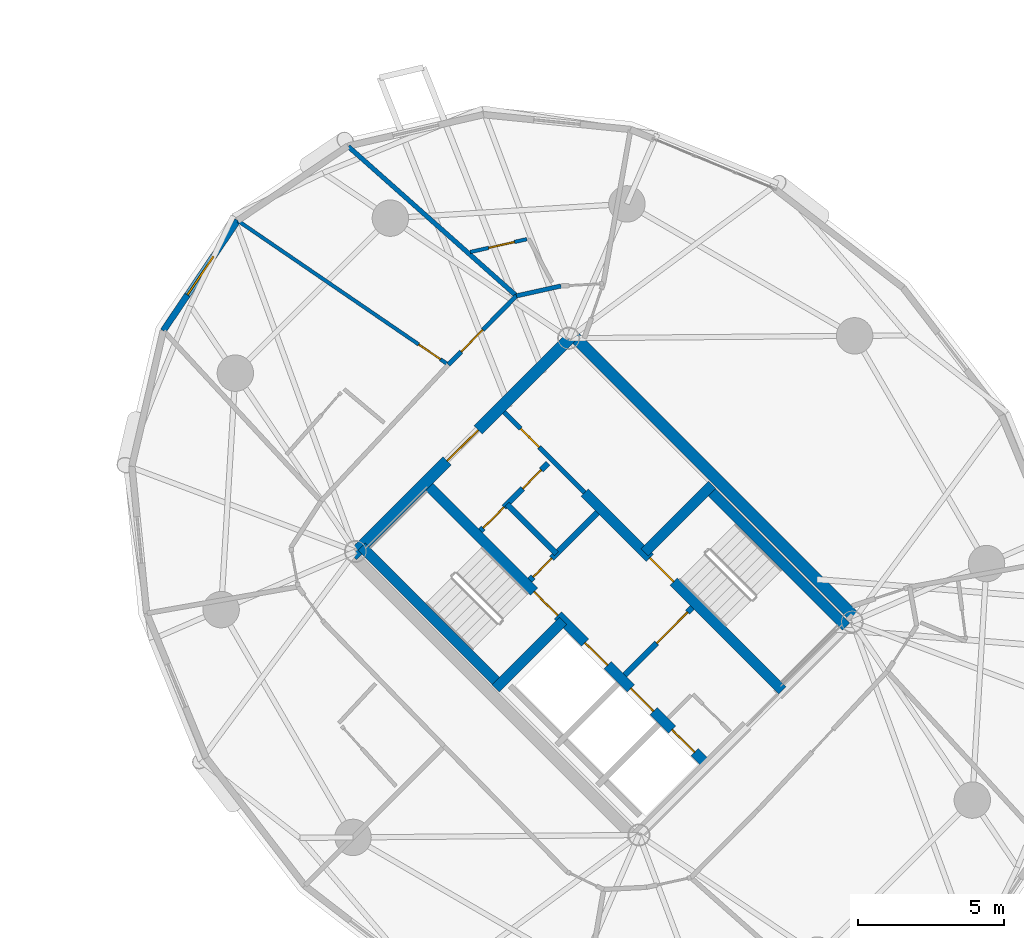
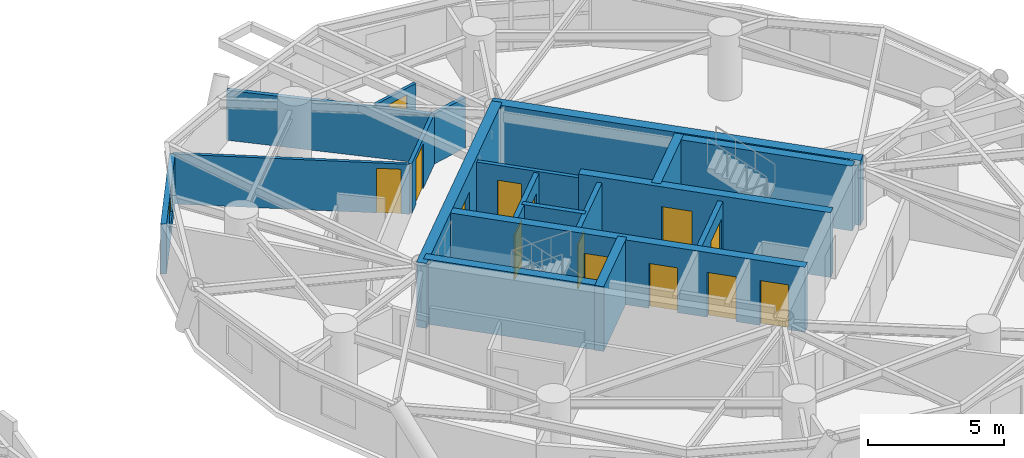
# One storey, part 14 of 18: 19 walls, 14 doors, 1 window, 15 openings.
"""IFC4 building model written with IfcOpenShell, lengths in metres."""

from ifc_helpers import new_model, si_unit, direction, frame, frame_2d, origin, place, context, subcontext, project, spatial, rectangle, extrude, source, transform, mapped, material, layer, layer_set, type_object, element, fill, save


model = new_model("IFC4")

# Units and contexts
model_context = context("Model", 3, precision=1e-05, world=origin(), true_north=direction((0.0, 1.0)))
body_context = subcontext(model_context, "Body", "Model", "MODEL_VIEW")
ifc_project = project(units=[si_unit("LENGTHUNIT", "METRE"), si_unit("AREAUNIT", "SQUARE_METRE"), si_unit("VOLUMEUNIT", "CUBIC_METRE"), si_unit("PLANEANGLEUNIT", "RADIAN"), si_unit("MASSUNIT", "GRAM", prefix="KILO")], contexts=[model_context])

# Site, building, storey
site_placement = place(None, origin())
site = spatial("IfcSite", under=ifc_project, at=site_placement, CompositionType="ELEMENT")
building_placement = place(site_placement, origin())
building = spatial("IfcBuilding", under=site, at=building_placement, Name="Cununo Teusaquillo Station Towers", CompositionType="ELEMENT")
storey_placement = place(building_placement, frame((0.0, 0.0, 157.419921875)))
storey = spatial("IfcBuildingStorey", under=building, at=storey_placement, Name="L49", CompositionType="ELEMENT", Elevation=157.419921875)

# Wall, openings, doors
ifc_material_1 = material(Name="Concrete C50/60", Category="concrete")
ifc_layer_1 = layer(ifc_material_1, 0.35009765625)
ifc_layer_set_1 = layer_set([ifc_layer_1], Name="Concrete C50/60")
wall_type_1 = type_object("IfcWallType", Name="WL-CORE-350", PredefinedType="SHEAR", material=ifc_layer_set_1)
wall_1_placement = place(storey_placement, frame((61.060302734375, 18.372802734375, 0.0), z_axis=(0.0, 0.0, 1.0), x_axis=(-0.707106781187, 0.707106781187, 0.0)))
wall_1 = element("IfcWall", 1, at=wall_1_placement, inside=storey, type_object=wall_type_1, Name="L49 Tower B Core Shear Wall IW", PredefinedType="SHEAR", context=body_context, shape_type="SweptSolid", body=[
    extrude(rectangle(XDim=13.7001953125, YDim=0.35009765625, at=frame_2d((6.85009765625, 0.0))), origin(), (0.0, 0.0, 1.0), 2.91015625),
])
shared_shape_1 = source(origin(), body_context, "Body", "SweptSolid", [
    extrude(rectangle(XDim=1.10009765625, YDim=2.014892578125, at=frame_2d((0.550048828125, 1.00732421875))), frame((0.0, 0.18505859375, 0.0), z_axis=(0.0, -1.0, 0.0), x_axis=(1.0, 0.0, 0.0)), (0.0, 0.0, 1.0), 0.3701171875),
])
opening_1_placement = place(wall_1_placement, frame((4.85009765625, 0.0, 0.0)))
opening_1 = element("IfcOpeningElement", 2, at=opening_1_placement, cuts=wall_1, Name="Opening LD-01", PredefinedType="OPENING", context=body_context, shape_type="MappedRepresentation", body=[
    mapped(shared_shape_1, transform((0.0, 0.0, 0.0), x_axis=(1.0, 0.0, 0.0), y_axis=(0.0, 1.0, 0.0), z_axis=(0.0, 0.0, 1.0), scale=1.0)),
])
opening_2_placement = place(wall_1_placement, frame((0.625, 0.0, 0.0)))
opening_2 = element("IfcOpeningElement", 3, at=opening_2_placement, cuts=wall_1, Name="Opening LD-01", PredefinedType="OPENING", context=body_context, shape_type="MappedRepresentation", body=[
    mapped(shared_shape_1, transform((0.0, 0.0, 0.0), x_axis=(1.0, 0.0, 0.0), y_axis=(0.0, 1.0, 0.0), z_axis=(0.0, 0.0, 1.0), scale=1.0)),
])
opening_3_placement = place(wall_1_placement, frame((2.625, 0.0, 0.0)))
opening_3 = element("IfcOpeningElement", 4, at=opening_3_placement, cuts=wall_1, Name="Opening LD-01", PredefinedType="OPENING", context=body_context, shape_type="MappedRepresentation", body=[
    mapped(shared_shape_1, transform((0.0, 0.0, 0.0), x_axis=(1.0, 0.0, 0.0), y_axis=(0.0, 1.0, 0.0), z_axis=(0.0, 0.0, 1.0), scale=1.0)),
])
shared_shape_2 = source(origin(), body_context, "Body", "SweptSolid", [
    extrude(rectangle(XDim=1.14990234375, YDim=2.02001953125, at=frame_2d((0.574951171875, 1.010009765625))), frame((0.0, 0.18505859375, 0.0), z_axis=(0.0, -1.0, 0.0), x_axis=(1.0, 0.0, 0.0)), (0.0, 0.0, 1.0), 0.3701171875),
])
opening_4_placement = place(wall_1_placement, frame((7.27001953125, 0.0, 0.0)))
opening_4 = element("IfcOpeningElement", 5, at=opening_4_placement, cuts=wall_1, Name="Opening D-ST1", PredefinedType="OPENING", context=body_context, shape_type="MappedRepresentation", body=[
    mapped(shared_shape_2, transform((0.0, 0.0, 0.0), x_axis=(1.0, 0.0, 0.0), y_axis=(0.0, 1.0, 0.0), z_axis=(0.0, 0.0, 1.0), scale=1.0)),
])
ifc_material_2 = material(Name="Galvanised fire-rated hollow steel door assembly", Category="steel")
door_type_1 = type_object("IfcDoorType", Name="DR-LIFT-1100", OperationType="SLIDING_TO_LEFT", PredefinedType="DOOR", material=ifc_material_2)
shared_shape_3 = source(origin(), body_context, "Body", "SweptSolid", [
    extrude(rectangle(XDim=1.10009765625, YDim=2.014892578125, at=frame_2d((0.550048828125, 1.00732421875))), frame((0.0, 0.02490234375, 0.0), z_axis=(0.0, -1.0, 0.0), x_axis=(1.0, 0.0, 0.0)), (0.0, 0.0, 1.0), 0.050048828125),
])
door_1_placement = place(opening_1_placement, origin())
door_1 = element("IfcDoor", 6, at=door_1_placement, inside=storey, type_object=door_type_1, Name="L49 Lift FL-T2 Sliding Landing Door", OperationType="SLIDING_TO_LEFT", OverallHeight=2.014892578125, OverallWidth=1.10009765625, PredefinedType="DOOR", context=body_context, shape_type="MappedRepresentation", body=[
    mapped(shared_shape_3, transform((0.0, 0.0, 0.0), x_axis=(1.0, 0.0, 0.0), y_axis=(0.0, 1.0, 0.0), z_axis=(0.0, 0.0, 1.0), scale=1.0)),
])
fill(opening_1, door_1)
door_2_placement = place(opening_2_placement, origin())
door_2 = element("IfcDoor", 7, at=door_2_placement, inside=storey, type_object=door_type_1, Name="L49 Lift PL-T2-H1 Sliding Landing Door", OperationType="SLIDING_TO_RIGHT", OverallHeight=2.014892578125, OverallWidth=1.10009765625, PredefinedType="DOOR", context=body_context, shape_type="MappedRepresentation", body=[
    mapped(shared_shape_3, transform((0.0, 0.0, 0.0), x_axis=(1.0, 0.0, 0.0), y_axis=(0.0, 1.0, 0.0), z_axis=(0.0, 0.0, 1.0), scale=1.0)),
])
fill(opening_2, door_2)
door_3_placement = place(opening_3_placement, origin())
door_3 = element("IfcDoor", 8, at=door_3_placement, inside=storey, type_object=door_type_1, Name="L49 Lift PL-T2-H2 Sliding Landing Door", OperationType="SLIDING_TO_LEFT", OverallHeight=2.014892578125, OverallWidth=1.10009765625, PredefinedType="DOOR", context=body_context, shape_type="MappedRepresentation", body=[
    mapped(shared_shape_3, transform((0.0, 0.0, 0.0), x_axis=(1.0, 0.0, 0.0), y_axis=(0.0, 1.0, 0.0), z_axis=(0.0, 0.0, 1.0), scale=1.0)),
])
fill(opening_3, door_3)
ifc_material_3 = material(Name="Galvanised fire-rated hollow steel door assembly", Category="steel")
door_type_2 = type_object("IfcDoorType", Name="DR-STAIR-1150", OperationType="NOTDEFINED", PredefinedType="DOOR", material=ifc_material_3)
shared_shape_4 = source(origin(), body_context, "Body", "SweptSolid", [
    extrude(rectangle(XDim=1.14990234375, YDim=2.02001953125, at=frame_2d((0.574951171875, 1.010009765625))), frame((0.0, 0.02490234375, 0.0), z_axis=(0.0, -1.0, 0.0), x_axis=(1.0, 0.0, 0.0)), (0.0, 0.0, 1.0), 0.050048828125),
])
door_4_placement = place(opening_4_placement, origin())
door_4 = element("IfcDoor", 9, at=door_4_placement, inside=storey, type_object=door_type_2, Name="L49 Tower B Exit Stair 1 Fire Door", OperationType="SINGLE_SWING_RIGHT", OverallHeight=2.02001953125, OverallWidth=1.14990234375, PredefinedType="DOOR", context=body_context, shape_type="MappedRepresentation", body=[
    mapped(shared_shape_4, transform((0.0, 0.0, 0.0), x_axis=(1.0, 0.0, 0.0), y_axis=(0.0, 1.0, 0.0), z_axis=(0.0, 0.0, 1.0), scale=1.0)),
])
fill(opening_4, door_4)

# Wall, opening, door
wall_2_placement = place(storey_placement, frame((63.627197265625, 20.939697265625, 0.0), z_axis=(0.0, 0.0, 1.0), x_axis=(-0.707119496762, 0.707094065383, 0.0)))
wall_2 = element("IfcWall", 10, at=wall_2_placement, inside=storey, type_object=wall_type_1, Name="L49 Tower B Core Shear Wall IE", PredefinedType="SHEAR", context=body_context, shape_type="SweptSolid", body=[
    extrude(rectangle(XDim=9.60009765625, YDim=0.35009765625, at=frame_2d((4.800048828125, 0.0))), origin(), (0.0, 0.0, 1.0), 2.91015625),
])
opening_5_placement = place(wall_2_placement, frame((5.280029296875, 0.0, 0.0)))
opening_5 = element("IfcOpeningElement", 11, at=opening_5_placement, cuts=wall_2, Name="Opening D-ST1", PredefinedType="OPENING", context=body_context, shape_type="MappedRepresentation", body=[
    mapped(shared_shape_2, transform((0.0, 0.0, 0.0), x_axis=(1.0, 0.0, 0.0), y_axis=(0.0, 1.0, 0.0), z_axis=(0.0, 0.0, 1.0), scale=1.0)),
])
door_5_placement = place(opening_5_placement, origin())
door_5 = element("IfcDoor", 12, at=door_5_placement, inside=storey, type_object=door_type_2, Name="L49 Tower B Exit Stair 2 Fire Door", OperationType="SINGLE_SWING_LEFT", OverallHeight=2.02001953125, OverallWidth=1.14990234375, PredefinedType="DOOR", context=body_context, shape_type="MappedRepresentation", body=[
    mapped(shared_shape_4, transform((0.0, 0.0, 0.0), x_axis=(1.0, 0.0, 0.0), y_axis=(0.0, 1.0, 0.0), z_axis=(0.0, 0.0, 1.0), scale=1.0)),
])
fill(opening_5, door_5)

# Walls
wall_3_placement = place(storey_placement, frame((53.922119140625, 21.14111328125, 0.0), z_axis=(0.0, 0.0, 1.0), x_axis=(-0.707106781187, 0.707106781187, 0.0)))
element("IfcWall", 13, at=wall_3_placement, inside=storey, type_object=wall_type_1, Name="L49 Tower B Core Shear Wall ST1W", PredefinedType="SHEAR", context=body_context, shape_type="SweptSolid", body=[
    extrude(rectangle(XDim=6.695068359375, YDim=0.35009765625, at=frame_2d((3.34765625, 0.0))), origin(), (0.0, 0.0, 1.0), 2.91015625),
])
wall_4_placement = place(storey_placement, frame((53.7841796875, 21.00341796875, 0.0), z_axis=(0.0, 0.0, 1.0), x_axis=(0.707106781187, 0.707106781187, 0.0)))
element("IfcWall", 14, at=wall_4_placement, inside=storey, type_object=wall_type_1, Name="L49 Tower B Core Shear Wall ST1S", PredefinedType="SHEAR", context=body_context, shape_type="SweptSolid", body=[
    extrude(rectangle(XDim=3.284912109375, YDim=0.35009765625, at=frame_2d((1.642578125, 0.0))), origin(), (0.0, 0.0, 1.0), 2.91015625),
])
wall_5_placement = place(storey_placement, frame((65.81201171875, 23.124755859375, 0.0), z_axis=(0.0, 0.0, 1.0), x_axis=(-0.707106781187, 0.707106781187, 0.0)))
element("IfcWall", 15, at=wall_5_placement, inside=storey, type_object=wall_type_1, Name="L49 Tower B Core Shear Wall ST2E", PredefinedType="SHEAR", context=body_context, shape_type="SweptSolid", body=[
    extrude(rectangle(XDim=6.695068359375, YDim=0.35009765625, at=frame_2d((3.34765625, 0.0))), origin(), (0.0, 0.0, 1.0), 2.91015625),
])
wall_6_placement = place(storey_placement, frame((58.89306640625, 25.673828125, 0.0), z_axis=(0.0, 0.0, 1.0), x_axis=(0.707106781187, 0.707106781187, 0.0)))
element("IfcWall", 16, at=wall_6_placement, inside=storey, type_object=wall_type_1, Name="L49 Tower B Core Shear Wall ST2N", PredefinedType="SHEAR", context=body_context, shape_type="SweptSolid", body=[
    extrude(rectangle(XDim=3.284912109375, YDim=0.35009765625, at=frame_2d((1.642578125, 0.0))), origin(), (0.0, 0.0, 1.0), 2.91015625),
])
ifc_material_4 = material(Name="Concrete C50/60", Category="concrete")
ifc_layer_2 = layer(ifc_material_4, 0.39990234375)
ifc_layer_set_2 = layer_set([ifc_layer_2], Name="Concrete C50/60")
wall_type_2 = type_object("IfcWallType", Name="WL-CORE-400", PredefinedType="SHEAR", material=ifc_layer_set_2)
wall_7_placement = place(storey_placement, frame((66.26806640625, 23.2978515625, 0.0), z_axis=(0.0, 0.0, 1.0), x_axis=(-0.707106781187, 0.707106781187, 0.0)))
element("IfcWall", 17, at=wall_7_placement, inside=storey, type_object=wall_type_2, Name="L49 Tower B Core Shear Wall E", PredefinedType="SHEAR", context=body_context, shape_type="SweptSolid", body=[
    extrude(rectangle(XDim=14.10009765625, YDim=0.39990234375, at=frame_2d((7.050048828125, 0.0))), origin(), (0.0, 0.0, 1.0), 2.91015625),
])

# Wall, opening, door
wall_8_placement = place(storey_placement, frame((48.873291015625, 25.560791015625, 0.0), z_axis=(0.0, 0.0, 1.0), x_axis=(0.707106781187, 0.707106781187, 0.0)))
wall_8 = element("IfcWall", 18, at=wall_8_placement, inside=storey, type_object=wall_type_2, Name="L49 Tower B Core Shear Wall N", PredefinedType="SHEAR", context=body_context, shape_type="SweptSolid", body=[
    extrude(rectangle(XDim=10.69970703125, YDim=0.39990234375, at=frame_2d((5.349853515625, 0.0))), origin(), (0.0, 0.0, 1.0), 2.91015625),
])
shared_shape_5 = source(origin(), body_context, "Body", "SweptSolid", [
    extrude(rectangle(XDim=1.5, YDim=2.02001953125, at=frame_2d((0.75, 1.010009765625))), frame((0.0, 0.2099609375, 0.0), z_axis=(0.0, -1.0, 0.0), x_axis=(1.0, 0.0, 0.0)), (0.0, 0.0, 1.0), 0.419921875),
])
opening_6_placement = place(wall_8_placement, frame((4.60009765625, 0.0, 0.0)))
opening_6 = element("IfcOpeningElement", 19, at=opening_6_placement, cuts=wall_8, Name="Opening D-LB1", PredefinedType="OPENING", context=body_context, shape_type="MappedRepresentation", body=[
    mapped(shared_shape_5, transform((0.0, 0.0, 0.0), x_axis=(1.0, 0.0, 0.0), y_axis=(0.0, 1.0, 0.0), z_axis=(0.0, 0.0, 1.0), scale=1.0)),
])
ifc_material_5 = material(Name="Galvanised fire-rated hollow steel door assembly", Category="steel")
door_type_3 = type_object("IfcDoorType", Name="DR-LOBBY-1500", OperationType="DOUBLE_DOOR_SINGLE_SWING", PredefinedType="DOOR", material=ifc_material_5)
shared_shape_6 = source(origin(), body_context, "Body", "SweptSolid", [
    extrude(rectangle(XDim=1.5, YDim=2.02001953125, at=frame_2d((0.75, 1.010009765625))), frame((0.0, 0.02490234375, 0.0), z_axis=(0.0, -1.0, 0.0), x_axis=(1.0, 0.0, 0.0)), (0.0, 0.0, 1.0), 0.050048828125),
])
door_6_placement = place(opening_6_placement, origin())
door_6 = element("IfcDoor", 20, at=door_6_placement, inside=storey, type_object=door_type_3, Name="L49 Tower B North Core Lift Lobby Door", OperationType="DOUBLE_DOOR_SINGLE_SWING", OverallHeight=2.02001953125, OverallWidth=1.5, PredefinedType="DOOR", context=body_context, shape_type="MappedRepresentation", body=[
    mapped(shared_shape_6, transform((0.0, 0.0, 0.0), x_axis=(1.0, 0.0, 0.0), y_axis=(0.0, 1.0, 0.0), z_axis=(0.0, 0.0, 1.0), scale=1.0)),
])
fill(opening_6, door_6)

# Wall, opening, window
ifc_material_6 = material(Name="Precast concrete C40/50", Category="concrete")
ifc_layer_3 = layer(ifc_material_6, 0.219970703125)
ifc_layer_set_3 = layer_set([ifc_layer_3], Name="Precast concrete C40/50")
wall_type_3 = type_object("IfcWallType", Name="WL-EXT-220", PredefinedType="SOLIDWALL", material=ifc_layer_set_3)
wall_9_placement = place(storey_placement, frame((42.3779296875, 33.27880859375, 0.0), z_axis=(0.0, 0.0, 1.0), x_axis=(0.559635286042, 0.828739009952, 0.0)))
wall_9 = element("IfcWall", 21, at=wall_9_placement, inside=storey, type_object=wall_type_3, Name="L49 Tower B Exterior Facade Wall C05", PredefinedType="SOLIDWALL", context=body_context, shape_type="SweptSolid", body=[
    extrude(rectangle(XDim=4.56884765625, YDim=0.219970703125, at=frame_2d((2.284423828125, 0.0))), origin(), (0.0, 0.0, 1.0), 2.2451171875),
])
shared_shape_7 = source(origin(), body_context, "Body", "SweptSolid", [
    extrude(rectangle(XDim=1.60009765625, YDim=1.300048828125, at=frame_2d((0.800048828125, 0.64990234375))), frame((0.0, 0.119873046875, 0.0), z_axis=(0.0, -1.0, 0.0), x_axis=(1.0, 0.0, 0.0)), (0.0, 0.0, 1.0), 0.239990234375),
])
opening_7_placement = place(wall_9_placement, frame((1.48388671875, 0.0, 0.64990234375)))
opening_7 = element("IfcOpeningElement", 22, at=opening_7_placement, cuts=wall_9, Name="Opening WN-03", PredefinedType="OPENING", context=body_context, shape_type="MappedRepresentation", body=[
    mapped(shared_shape_7, transform((0.0, 0.0, 0.0), x_axis=(1.0, 0.0, 0.0), y_axis=(0.0, 1.0, 0.0), z_axis=(0.0, 0.0, 1.0), scale=1.0)),
])
ifc_material_7 = material(Name="Ceramic-fritted dark low-E double glazing", Category="glass")
window_type = type_object("IfcWindowType", Name="WIN-CORN-1600", PartitioningType="SINGLE_PANEL", PredefinedType="WINDOW", material=ifc_material_7)
shared_shape_8 = source(origin(), body_context, "Body", "SweptSolid", [
    extrude(rectangle(XDim=1.60009765625, YDim=1.300048828125, at=frame_2d((0.800048828125, 0.64990234375))), frame((0.0, 0.030029296875, 0.0), z_axis=(0.0, -1.0, 0.0), x_axis=(1.0, 0.0, 0.0)), (0.0, 0.0, 1.0), 0.06005859375),
])
window_placement = place(opening_7_placement, origin())
window = element("IfcWindow", 23, at=window_placement, inside=storey, type_object=window_type, Name="L49 Tower B Facade Window C05", OverallHeight=1.300048828125, OverallWidth=1.60009765625, PartitioningType="SINGLE_PANEL", PredefinedType="WINDOW", context=body_context, shape_type="MappedRepresentation", body=[
    mapped(shared_shape_8, transform((0.0, 0.0, 0.0), x_axis=(1.0, 0.0, 0.0), y_axis=(0.0, 1.0, 0.0), z_axis=(0.0, 0.0, 1.0), scale=1.0)),
])
fill(opening_7, window)

# Wall, opening, door
ifc_material_8 = material(Name="Fire-rated gypsum plasterboard partition assembly", Category="gypsum")
ifc_layer_4 = layer(ifc_material_8, 0.125)
ifc_layer_set_4 = layer_set([ifc_layer_4], Name="Fire-rated gypsum plasterboard partition assembly")
wall_type_4 = type_object("IfcWallType", Name="WL-PART-125", PredefinedType="PARTITIONING", material=ifc_layer_set_4)
wall_10_placement = place(storey_placement, frame((54.85791015625, 36.425048828125, 0.0), z_axis=(0.0, 0.0, 1.0), x_axis=(-0.975061820415, -0.221933427785, 0.0)))
wall_10 = element("IfcWall", 24, at=wall_10_placement, inside=storey, type_object=wall_type_4, Name="L49 Tower B S01 En-suite Back Wall", PredefinedType="PARTITIONING", context=body_context, shape_type="SweptSolid", body=[
    extrude(rectangle(XDim=1.993408203125, YDim=0.125, at=frame_2d((0.99658203125, 0.0))), origin(), (0.0, 0.0, 1.0), 2.31201171875),
])
shared_shape_9 = source(origin(), body_context, "Body", "SweptSolid", [
    extrude(rectangle(XDim=0.89990234375, YDim=2.0048828125, at=frame_2d((0.449951171875, 1.00244140625))), frame((0.0, 0.072509765625, 0.0), z_axis=(0.0, -1.0, 0.0), x_axis=(1.0, 0.0, 0.0)), (0.0, 0.0, 1.0), 0.14501953125),
])
opening_8_placement = place(wall_10_placement, frame((0.43994140625, 0.0, 0.0)))
opening_8 = element("IfcOpeningElement", 25, at=opening_8_placement, cuts=wall_10, Name="Opening D-IN1", PredefinedType="OPENING", context=body_context, shape_type="MappedRepresentation", body=[
    mapped(shared_shape_9, transform((0.0, 0.0, 0.0), x_axis=(1.0, 0.0, 0.0), y_axis=(0.0, 1.0, 0.0), z_axis=(0.0, 0.0, 1.0), scale=1.0)),
])
ifc_material_9 = material(Name="Acoustic solid-core hardwood leaf assembly", Category="wood")
door_type_4 = type_object("IfcDoorType", Name="DR-INT-900", OperationType="NOTDEFINED", PredefinedType="DOOR", material=ifc_material_9)
shared_shape_10 = source(origin(), body_context, "Body", "SweptSolid", [
    extrude(rectangle(XDim=0.89990234375, YDim=2.0048828125, at=frame_2d((0.449951171875, 1.00244140625))), frame((0.0, 0.02490234375, 0.0), z_axis=(0.0, -1.0, 0.0), x_axis=(1.0, 0.0, 0.0)), (0.0, 0.0, 1.0), 0.050048828125),
])
door_7_placement = place(opening_8_placement, origin())
door_7 = element("IfcDoor", 26, at=door_7_placement, inside=storey, type_object=door_type_4, Name="L49 Tower B S01 En-suite Bathroom Door", OperationType="SINGLE_SWING_RIGHT", OverallHeight=2.0048828125, OverallWidth=0.89990234375, PredefinedType="DOOR", context=body_context, shape_type="MappedRepresentation", body=[
    mapped(shared_shape_10, transform((0.0, 0.0, 0.0), x_axis=(1.0, 0.0, 0.0), y_axis=(0.0, 1.0, 0.0), z_axis=(0.0, 0.0, 1.0), scale=1.0)),
])
fill(opening_8, door_7)

wall_11_placement = place(storey_placement, frame((52.163330078125, 32.11669921875, 0.0), z_axis=(0.0, 0.0, 1.0), x_axis=(-0.825403853282, 0.564542716707, 0.0)))
wall_11 = element("IfcWall", 27, at=wall_11_placement, inside=storey, type_object=wall_type_4, Name="L49 Tower B Cloud-Forest Hotel Suite Suite Subdividing Wall", PredefinedType="PARTITIONING", context=body_context, shape_type="SweptSolid", body=[
    extrude(rectangle(XDim=8.740478515625, YDim=0.125, at=frame_2d((4.3701171875, 0.0))), origin(), (0.0, 0.0, 1.0), 2.2451171875),
])
opening_9_placement = place(wall_11_placement, frame((0.330078125, 0.0, 0.0)))
opening_9 = element("IfcOpeningElement", 28, at=opening_9_placement, cuts=wall_11, Name="Opening D-IN1", PredefinedType="OPENING", context=body_context, shape_type="MappedRepresentation", body=[
    mapped(shared_shape_9, transform((0.0, 0.0, 0.0), x_axis=(1.0, 0.0, 0.0), y_axis=(0.0, 1.0, 0.0), z_axis=(0.0, 0.0, 1.0), scale=1.0)),
])
door_8_placement = place(opening_9_placement, origin())
door_8 = element("IfcDoor", 29, at=door_8_placement, inside=storey, type_object=door_type_4, Name="L49 Tower B Cloud-Forest Hotel Suite Suite Connecting Door", OperationType="SINGLE_SWING_RIGHT", OverallHeight=2.0048828125, OverallWidth=0.89990234375, PredefinedType="DOOR", context=body_context, shape_type="MappedRepresentation", body=[
    mapped(shared_shape_10, transform((0.0, 0.0, 0.0), x_axis=(1.0, 0.0, 0.0), y_axis=(0.0, 1.0, 0.0), z_axis=(0.0, 0.0, 1.0), scale=1.0)),
])
fill(opening_9, door_8)

# Wall
ifc_material_10 = material(Name="Fire-rated gypsum plasterboard partition assembly", Category="gypsum")
ifc_layer_5 = layer(ifc_material_10, 0.14990234375)
ifc_layer_set_5 = layer_set([ifc_layer_5], Name="Fire-rated gypsum plasterboard partition assembly")
wall_type_5 = type_object("IfcWallType", Name="WL-PART-150", PredefinedType="PARTITIONING", material=ifc_layer_set_5)
wall_12_placement = place(storey_placement, frame((56.029052734375, 34.818603515625, 0.0), z_axis=(0.0, 0.0, 1.0), x_axis=(-0.976117289068, -0.217244189754, 0.0)))
element("IfcWall", 30, at=wall_12_placement, inside=storey, type_object=wall_type_5, Name="L49 Tower B Corridor Ring Wall C03", PredefinedType="PARTITIONING", context=body_context, shape_type="SweptSolid", body=[
    extrude(rectangle(XDim=1.5654296875, YDim=0.14990234375, at=frame_2d((0.78271484375, 0.0))), origin(), (0.0, 0.0, 1.0), 2.2451171875),
])

# Wall, opening, door
wall_13_placement = place(storey_placement, frame((54.5009765625, 34.478515625, 0.0), z_axis=(0.0, 0.0, 1.0), x_axis=(-0.70346073929, -0.710734119258, 0.0)))
wall_13 = element("IfcWall", 31, at=wall_13_placement, inside=storey, type_object=wall_type_5, Name="L49 Tower B Corridor Ring Wall C04", PredefinedType="PARTITIONING", context=body_context, shape_type="SweptSolid", body=[
    extrude(rectangle(XDim=3.322998046875, YDim=0.14990234375, at=frame_2d((1.66162109375, 0.0))), origin(), (0.0, 0.0, 1.0), 2.2451171875),
])
shared_shape_11 = source(origin(), body_context, "Body", "SweptSolid", [
    extrude(rectangle(XDim=1.050048828125, YDim=2.014892578125, at=frame_2d((0.52490234375, 1.00732421875))), frame((0.0, 0.0849609375, 0.0), z_axis=(0.0, -1.0, 0.0), x_axis=(1.0, 0.0, 0.0)), (0.0, 0.0, 1.0), 0.169921875),
])
opening_10_placement = place(wall_13_placement, frame((1.644775390625, 0.0, 0.0)))
opening_10 = element("IfcOpeningElement", 32, at=opening_10_placement, cuts=wall_13, Name="Opening D-SU1", PredefinedType="OPENING", context=body_context, shape_type="MappedRepresentation", body=[
    mapped(shared_shape_11, transform((0.0, 0.0, 0.0), x_axis=(1.0, 0.0, 0.0), y_axis=(0.0, 1.0, 0.0), z_axis=(0.0, 0.0, 1.0), scale=1.0)),
])
ifc_material_11 = material(Name="Acoustic solid-core hardwood leaf assembly", Category="wood")
door_type_5 = type_object("IfcDoorType", Name="DR-SUITE-1050", OperationType="NOTDEFINED", PredefinedType="DOOR", material=ifc_material_11)
shared_shape_12 = source(origin(), body_context, "Body", "SweptSolid", [
    extrude(rectangle(XDim=1.050048828125, YDim=2.014892578125, at=frame_2d((0.52490234375, 1.00732421875))), frame((0.0, 0.02490234375, 0.0), z_axis=(0.0, -1.0, 0.0), x_axis=(1.0, 0.0, 0.0)), (0.0, 0.0, 1.0), 0.050048828125),
])
door_9_placement = place(opening_10_placement, origin())
door_9 = element("IfcDoor", 33, at=door_9_placement, inside=storey, type_object=door_type_5, Name="L49 Tower B Cloud-Forest Hotel Suite Entrance Door", OperationType="SINGLE_SWING_LEFT", OverallHeight=2.014892578125, OverallWidth=1.050048828125, PredefinedType="DOOR", context=body_context, shape_type="MappedRepresentation", body=[
    mapped(shared_shape_12, transform((0.0, 0.0, 0.0), x_axis=(1.0, 0.0, 0.0), y_axis=(0.0, 1.0, 0.0), z_axis=(0.0, 0.0, 1.0), scale=1.0)),
])
fill(opening_10, door_9)

ifc_material_12 = material(Name="Fire-rated gypsum plasterboard partition assembly", Category="gypsum")
ifc_layer_6 = layer(ifc_material_12, 0.159912109375)
ifc_layer_set_6 = layer_set([ifc_layer_6], Name="Fire-rated gypsum plasterboard partition assembly")
wall_type_6 = type_object("IfcWallType", Name="WL-PART-160", PredefinedType="PARTITIONING", material=ifc_layer_set_6)
wall_14_placement = place(storey_placement, frame((56.8388671875, 27.727783203125, 0.0), z_axis=(0.0, 0.0, 1.0), x_axis=(-0.707106781187, 0.707106781187, 0.0)))
wall_14 = element("IfcWall", 34, at=wall_14_placement, inside=storey, type_object=wall_type_6, Name="L49 Tower B Reclaimed Core Bay Entry Wall", PredefinedType="PARTITIONING", context=body_context, shape_type="SweptSolid", body=[
    extrude(rectangle(XDim=3.900146484375, YDim=0.159912109375, at=frame_2d((1.9501953125, 0.0))), origin(), (0.0, 0.0, 1.0), 2.675048828125),
])
shared_shape_13 = source(origin(), body_context, "Body", "SweptSolid", [
    extrude(rectangle(XDim=0.89990234375, YDim=2.0048828125, at=frame_2d((0.449951171875, 1.00244140625))), frame((0.0, 0.08984375, 0.0), z_axis=(0.0, -1.0, 0.0), x_axis=(1.0, 0.0, 0.0)), (0.0, 0.0, 1.0), 0.179931640625),
])
opening_11_placement = place(wall_14_placement, frame((2.199951171875, 0.0, 0.0)))
opening_11 = element("IfcOpeningElement", 35, at=opening_11_placement, cuts=wall_14, Name="Opening D-IN1", PredefinedType="OPENING", context=body_context, shape_type="MappedRepresentation", body=[
    mapped(shared_shape_13, transform((0.0, 0.0, 0.0), x_axis=(1.0, 0.0, 0.0), y_axis=(0.0, 1.0, 0.0), z_axis=(0.0, 0.0, 1.0), scale=1.0)),
])
door_10_placement = place(opening_11_placement, origin())
door_10 = element("IfcDoor", 36, at=door_10_placement, inside=storey, type_object=door_type_4, Name="L49 Tower B Reclaimed Core Lounge Door", OperationType="SINGLE_SWING_RIGHT", OverallHeight=2.0048828125, OverallWidth=0.89990234375, PredefinedType="DOOR", context=body_context, shape_type="MappedRepresentation", body=[
    mapped(shared_shape_10, transform((0.0, 0.0, 0.0), x_axis=(1.0, 0.0, 0.0), y_axis=(0.0, 1.0, 0.0), z_axis=(0.0, 0.0, 1.0), scale=1.0)),
])
fill(opening_11, door_10)

# Wall
wall_15_placement = place(storey_placement, frame((54.5009765625, 34.478515625, 0.0), z_axis=(0.0, 0.0, 1.0), x_axis=(-0.747641382601, 0.66410267506, 0.0)))
element("IfcWall", 37, at=wall_15_placement, inside=storey, type_object=wall_type_6, Name="L49 Tower B Radial Suite Partition R02", PredefinedType="PARTITIONING", context=body_context, shape_type="SweptSolid", body=[
    extrude(rectangle(XDim=7.71826171875, YDim=0.159912109375, at=frame_2d((3.859130859375, 0.0))), origin(), (0.0, 0.0, 1.0), 2.2451171875),
])

# Wall, opening, door
ifc_material_13 = material(Name="Fire-rated gypsum plasterboard partition assembly", Category="gypsum")
ifc_layer_7 = layer(ifc_material_13, 0.199951171875)
ifc_layer_set_7 = layer_set([ifc_layer_7], Name="Fire-rated gypsum plasterboard partition assembly")
wall_type_7 = type_object("IfcWallType", Name="WL-PART-200", PredefinedType="PARTITIONING", material=ifc_layer_set_7)
wall_16_placement = place(storey_placement, frame((58.214111328125, 21.466552734375, 0.0), z_axis=(0.0, 0.0, 1.0), x_axis=(0.707106781187, 0.707106781187, 0.0)))
wall_16 = element("IfcWall", 38, at=wall_16_placement, inside=storey, type_object=wall_type_7, Name="L49 Tower B Firefighting Lift Lobby South Fire Wall", PredefinedType="PARTITIONING", context=body_context, shape_type="SweptSolid", body=[
    extrude(rectangle(XDim=3.280029296875, YDim=0.199951171875, at=frame_2d((1.64013671875, 0.0))), origin(), (0.0, 0.0, 1.0), 2.675048828125),
])
shared_shape_14 = source(origin(), body_context, "Body", "SweptSolid", [
    extrude(rectangle(XDim=1.5, YDim=2.02001953125, at=frame_2d((0.75, 1.010009765625))), frame((0.0, 0.10986328125, 0.0), z_axis=(0.0, -1.0, 0.0), x_axis=(1.0, 0.0, 0.0)), (0.0, 0.0, 1.0), 0.219970703125),
])
opening_12_placement = place(wall_16_placement, frame((1.550048828125, 0.0, 0.0)))
opening_12 = element("IfcOpeningElement", 39, at=opening_12_placement, cuts=wall_16, Name="Opening D-LB1", PredefinedType="OPENING", context=body_context, shape_type="MappedRepresentation", body=[
    mapped(shared_shape_14, transform((0.0, 0.0, 0.0), x_axis=(1.0, 0.0, 0.0), y_axis=(0.0, 1.0, 0.0), z_axis=(0.0, 0.0, 1.0), scale=1.0)),
])
door_11_placement = place(opening_12_placement, origin())
door_11 = element("IfcDoor", 40, at=door_11_placement, inside=storey, type_object=door_type_3, Name="L49 Tower B Firefighting Lift Lobby South Fire Door", OperationType="DOUBLE_DOOR_SINGLE_SWING", OverallHeight=2.02001953125, OverallWidth=1.5, PredefinedType="DOOR", context=body_context, shape_type="MappedRepresentation", body=[
    mapped(shared_shape_6, transform((0.0, 0.0, 0.0), x_axis=(1.0, 0.0, 0.0), y_axis=(0.0, 1.0, 0.0), z_axis=(0.0, 0.0, 1.0), scale=1.0)),
])
fill(opening_12, door_11)

wall_17_placement = place(storey_placement, frame((54.96142578125, 24.71923828125, 0.0), z_axis=(0.0, 0.0, 1.0), x_axis=(0.707106781187, 0.707106781187, 0.0)))
wall_17 = element("IfcWall", 41, at=wall_17_placement, inside=storey, type_object=wall_type_7, Name="L49 Tower B Firefighting Lift Lobby North Fire Wall", PredefinedType="PARTITIONING", context=body_context, shape_type="SweptSolid", body=[
    extrude(rectangle(XDim=3.280029296875, YDim=0.199951171875, at=frame_2d((1.64013671875, 0.0))), origin(), (0.0, 0.0, 1.0), 2.675048828125),
])
shared_shape_15 = source(origin(), body_context, "Body", "SweptSolid", [
    extrude(rectangle(XDim=0.89990234375, YDim=2.0048828125, at=frame_2d((0.449951171875, 1.00244140625))), frame((0.0, 0.10986328125, 0.0), z_axis=(0.0, -1.0, 0.0), x_axis=(1.0, 0.0, 0.0)), (0.0, 0.0, 1.0), 0.219970703125),
])
opening_13_placement = place(wall_17_placement, frame((0.159912109375, 0.0, 0.0)))
opening_13 = element("IfcOpeningElement", 42, at=opening_13_placement, cuts=wall_17, Name="Opening D-SR1", PredefinedType="OPENING", context=body_context, shape_type="MappedRepresentation", body=[
    mapped(shared_shape_15, transform((0.0, 0.0, 0.0), x_axis=(1.0, 0.0, 0.0), y_axis=(0.0, 1.0, 0.0), z_axis=(0.0, 0.0, 1.0), scale=1.0)),
])
ifc_material_14 = material(Name="Galvanised fire-rated hollow steel door assembly", Category="steel")
door_type_6 = type_object("IfcDoorType", Name="DR-STORE-900", OperationType="NOTDEFINED", PredefinedType="DOOR", material=ifc_material_14)
door_12_placement = place(opening_13_placement, origin())
door_12 = element("IfcDoor", 43, at=door_12_placement, inside=storey, type_object=door_type_6, Name="L49 Tower B Stair 1 Protected Vestibule South Door", OperationType="SINGLE_SWING_RIGHT", OverallHeight=2.0048828125, OverallWidth=0.89990234375, PredefinedType="DOOR", context=body_context, shape_type="MappedRepresentation", body=[
    mapped(shared_shape_10, transform((0.0, 0.0, 0.0), x_axis=(1.0, 0.0, 0.0), y_axis=(0.0, 1.0, 0.0), z_axis=(0.0, 0.0, 1.0), scale=1.0)),
])
fill(opening_13, door_12)

# Wall
wall_18_placement = place(storey_placement, frame((55.873779296875, 25.63134765625, 0.0), z_axis=(0.0, 0.0, 1.0), x_axis=(-0.707157639372, 0.707055919343, 0.0)))
element("IfcWall", 44, at=wall_18_placement, inside=storey, type_object=wall_type_7, Name="L49 Tower B Stair 1 Vestibule Partition Wall", PredefinedType="PARTITIONING", context=body_context, shape_type="SweptSolid", body=[
    extrude(rectangle(XDim=2.400146484375, YDim=0.199951171875, at=frame_2d((1.2001953125, 0.0))), origin(), (0.0, 0.0, 1.0), 2.675048828125),
])

# Wall, openings, doors
wall_19_placement = place(storey_placement, frame((53.264404296875, 26.416259765625, 0.0), z_axis=(0.0, 0.0, 1.0), x_axis=(0.707106781187, 0.707106781187, 0.0)))
wall_19 = element("IfcWall", 45, at=wall_19_placement, inside=storey, type_object=wall_type_7, Name="L49 Tower B North Lift Lobby South Fire Wall", PredefinedType="PARTITIONING", context=body_context, shape_type="SweptSolid", body=[
    extrude(rectangle(XDim=3.280029296875, YDim=0.199951171875, at=frame_2d((1.64013671875, 0.0))), origin(), (0.0, 0.0, 1.0), 2.675048828125),
])
shared_shape_16 = source(origin(), body_context, "Body", "SweptSolid", [
    extrude(rectangle(XDim=1.0, YDim=2.014892578125, at=frame_2d((0.5, 1.00732421875))), frame((0.0, 0.10986328125, 0.0), z_axis=(0.0, -1.0, 0.0), x_axis=(1.0, 0.0, 0.0)), (0.0, 0.0, 1.0), 0.219970703125),
])
opening_14_placement = place(wall_19_placement, frame((0.139892578125, 0.0, 0.0)))
opening_14 = element("IfcOpeningElement", 46, at=opening_14_placement, cuts=wall_19, Name="Opening D-AC1", PredefinedType="OPENING", context=body_context, shape_type="MappedRepresentation", body=[
    mapped(shared_shape_16, transform((0.0, 0.0, 0.0), x_axis=(1.0, 0.0, 0.0), y_axis=(0.0, 1.0, 0.0), z_axis=(0.0, 0.0, 1.0), scale=1.0)),
])
opening_15_placement = place(wall_19_placement, frame((2.050048828125, 0.0, 0.0)))
opening_15 = element("IfcOpeningElement", 47, at=opening_15_placement, cuts=wall_19, Name="Opening D-SR1", PredefinedType="OPENING", context=body_context, shape_type="MappedRepresentation", body=[
    mapped(shared_shape_15, transform((0.0, 0.0, 0.0), x_axis=(1.0, 0.0, 0.0), y_axis=(0.0, 1.0, 0.0), z_axis=(0.0, 0.0, 1.0), scale=1.0)),
])
door_13_placement = place(opening_15_placement, origin())
door_13 = element("IfcDoor", 48, at=door_13_placement, inside=storey, type_object=door_type_6, Name="L49 Tower B Core Housekeeping & Linen Store Door", OperationType="SINGLE_SWING_LEFT", OverallHeight=2.0048828125, OverallWidth=0.89990234375, PredefinedType="DOOR", context=body_context, shape_type="MappedRepresentation", body=[
    mapped(shared_shape_10, transform((0.0, 0.0, 0.0), x_axis=(1.0, 0.0, 0.0), y_axis=(0.0, 1.0, 0.0), z_axis=(0.0, 0.0, 1.0), scale=1.0)),
])
fill(opening_15, door_13)
ifc_material_15 = material(Name="Acoustic solid-core hardwood leaf assembly", Category="wood")
door_type_7 = type_object("IfcDoorType", Name="DR-ACC-1000", OperationType="NOTDEFINED", PredefinedType="DOOR", material=ifc_material_15)
shared_shape_17 = source(origin(), body_context, "Body", "SweptSolid", [
    extrude(rectangle(XDim=1.0, YDim=2.014892578125, at=frame_2d((0.5, 1.00732421875))), frame((0.0, 0.02490234375, 0.0), z_axis=(0.0, -1.0, 0.0), x_axis=(1.0, 0.0, 0.0)), (0.0, 0.0, 1.0), 0.050048828125),
])
door_14_placement = place(opening_14_placement, origin())
door_14 = element("IfcDoor", 49, at=door_14_placement, inside=storey, type_object=door_type_7, Name="L49 Tower B North Lift Lobby to Stair 1 Vestibule Door", OperationType="SINGLE_SWING_LEFT", OverallHeight=2.014892578125, OverallWidth=1.0, PredefinedType="DOOR", context=body_context, shape_type="MappedRepresentation", body=[
    mapped(shared_shape_17, transform((0.0, 0.0, 0.0), x_axis=(1.0, 0.0, 0.0), y_axis=(0.0, 1.0, 0.0), z_axis=(0.0, 0.0, 1.0), scale=1.0)),
])
fill(opening_14, door_14)

save(model, "model.ifc")
